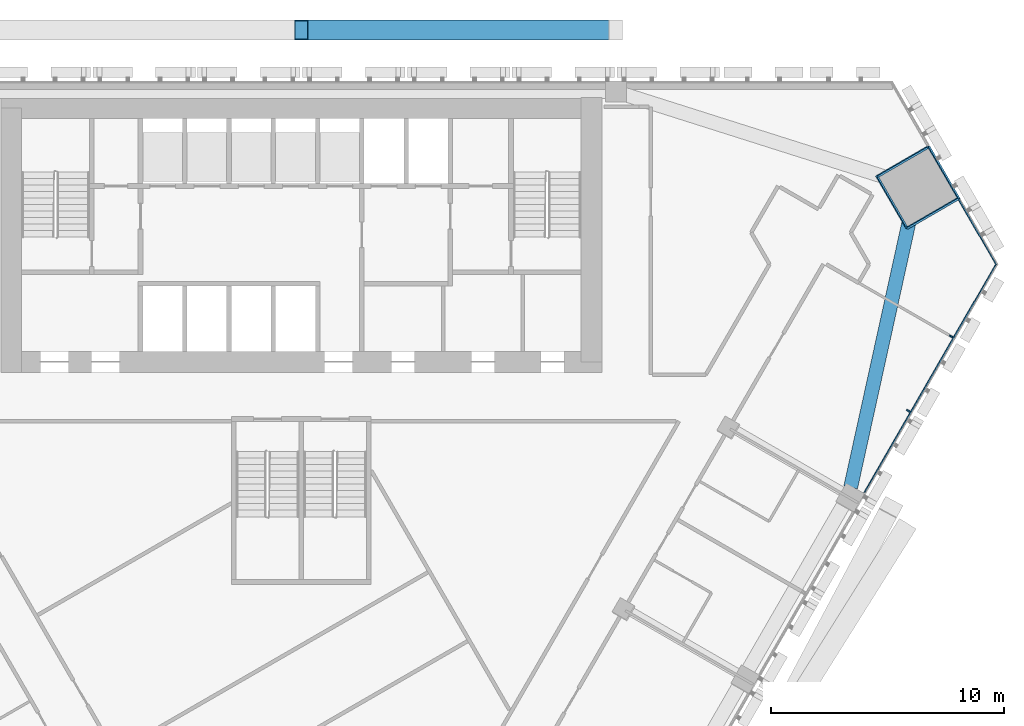
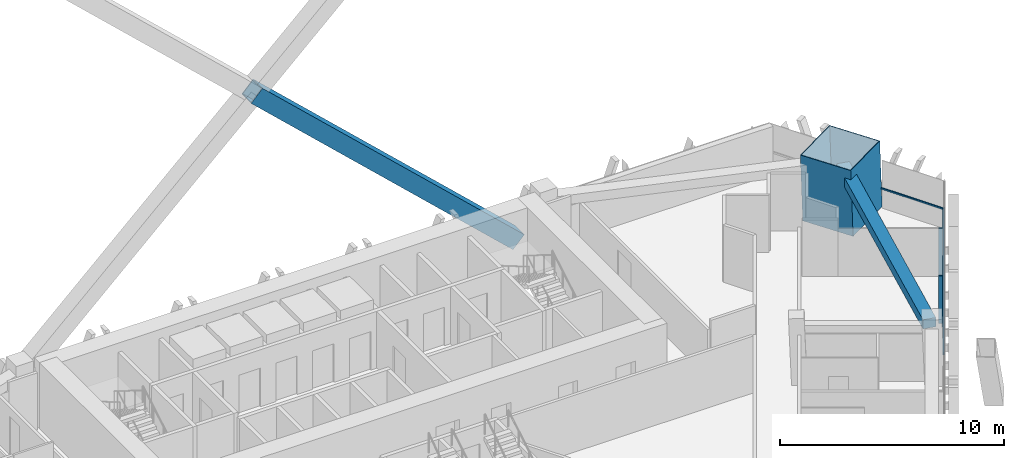
# One storey, part 10 of 19: 6 members, 1 beam, 2 elements without a shape of their own.
"""IFC4 building model written with IfcOpenShell, lengths in metres."""

from ifc_helpers import new_model, si_unit, direction, frame, origin, origin_2d, place, context, subcontext, project, spatial, rectangle, hollow_rectangle, extrude, material, layer, layer_set, material_profile, profile_set, type_object, element, aggregate, save


model = new_model("IFC4")

# Units and contexts
model_context = context("Model", 3, precision=1e-05, world=origin(), true_north=direction((0.0, 1.0)))
body_context = subcontext(model_context, "Body", "Model", "MODEL_VIEW")
ifc_project = project(units=[si_unit("LENGTHUNIT", "METRE"), si_unit("AREAUNIT", "SQUARE_METRE"), si_unit("VOLUMEUNIT", "CUBIC_METRE"), si_unit("PLANEANGLEUNIT", "RADIAN"), si_unit("MASSUNIT", "GRAM", prefix="KILO")], contexts=[model_context])

# Site, building, storey
site_placement = place(None, origin())
site = spatial("IfcSite", under=ifc_project, at=site_placement, CompositionType="ELEMENT")
building_placement = place(site_placement, origin())
building = spatial("IfcBuilding", under=site, at=building_placement, Name="Altiplano Prism Tower", CompositionType="ELEMENT")
storey_placement = place(building_placement, frame((0.0, 0.0, 70.199951171875)))
storey = spatial("IfcBuildingStorey", under=building, at=storey_placement, Name="L17", CompositionType="ELEMENT", Elevation=70.199951171875)

# Curtain wall, members
ifc_material_1 = material(Name="Aluminium and glass", Category="aluminium")
ifc_layer = layer(ifc_material_1, 0.280029296875)
ifc_layer_set = layer_set([ifc_layer], Name="Aluminium and glass")
curtain_wall_type = type_object("IfcCurtainWallType", Name="CW1 typical co-living unitised curtain wall", PredefinedType="NOTDEFINED", material=ifc_layer_set)
curtain_wall_1_placement = place(storey_placement, origin())
curtain_wall_1 = element("IfcCurtainWall", 1, at=curtain_wall_1_placement, inside=storey, type_object=curtain_wall_type, Name="CW1 curtain wall south-east face L17", PredefinedType="NOTDEFINED")
ifc_material_2 = material(Name="Aluminium", Category="aluminium")
ifc_material_profile_1 = material_profile(ifc_material_2, rectangle(XDim=0.179931640625, YDim=0.06494140625, at=origin_2d()), Name="CW1 mullion 65 x 180")
ifc_profile_set_1 = profile_set([ifc_material_profile_1], Name="Aluminium")
member_type_1 = type_object("IfcMemberType", Name="CW1 mullion 65 x 180", PredefinedType="MULLION", material=ifc_profile_set_1)
member_1_placement = place(storey_placement, frame((111.06201171875, 90.845947265625, 0.0), z_axis=(0.0, 0.0, 1.0), x_axis=(-0.86602540313, 0.500000001134, 0.0)))
member_1 = element("IfcMember", 2, at=member_1_placement, type_object=member_type_1, Name="CW1 mullion", PredefinedType="MULLION", context=body_context, shape_type="SweptSolid", body=[
    extrude(rectangle(XDim=0.179931640625, YDim=0.06494140625, at=origin_2d()), origin(), (0.0, 0.0, 1.0), 2.60009765625),
])
member_2_placement = place(storey_placement, frame((112.90625, 94.040283203125, 0.0), z_axis=(0.0, 0.0, 1.0), x_axis=(-0.86602540313, 0.500000001134, 0.0)))
member_2 = element("IfcMember", 3, at=member_2_placement, type_object=member_type_1, Name="CW1 mullion", PredefinedType="MULLION", context=body_context, shape_type="SweptSolid", body=[
    extrude(rectangle(XDim=0.179931640625, YDim=0.06494140625, at=origin_2d()), origin(), (0.0, 0.0, 1.0), 2.60009765625),
])
ifc_material_profile_2 = material_profile(ifc_material_2, rectangle(XDim=0.06005859375, YDim=0.080078125, at=origin_2d()), Name="CW1 transom 80 x 60")
ifc_profile_set_2 = profile_set([ifc_material_profile_2], Name="Aluminium")
member_type_2 = type_object("IfcMemberType", Name="CW1 transom 80 x 60", PredefinedType="USERDEFINED", material=ifc_profile_set_2)
member_3_placement = place(storey_placement, frame((109.1806640625, 87.347412109375, 1.10009765625), z_axis=(0.500008019114, 0.866020773897, 0.0), x_axis=(-0.866020773897, 0.500008019114, 0.0)))
member_3 = element("IfcMember", 4, at=member_3_placement, type_object=member_type_2, Name="CW1 transom", ObjectType="TRANSOM", PredefinedType="USERDEFINED", context=body_context, shape_type="SweptSolid", body=[
    extrude(rectangle(XDim=0.06005859375, YDim=0.080078125, at=origin_2d()), origin(), (0.0, 0.0, 1.0), 11.347412109375),
])
aggregate(curtain_wall_1, [member_1, member_2, member_3])

# Curtain wall, member
curtain_wall_2_placement = place(storey_placement, origin())
curtain_wall_2 = element("IfcCurtainWall", 5, at=curtain_wall_2_placement, inside=storey, type_object=curtain_wall_type, Name="CW1 curtain wall north-east chamfer L17", PredefinedType="NOTDEFINED")
member_4_placement = place(storey_placement, frame((114.8544921875, 97.104736328125, 1.10009765625), z_axis=(-0.500031372725, 0.866007289976, 0.0), x_axis=(-0.866007289976, -0.500031372725, 0.0)))
member_4 = element("IfcMember", 6, at=member_4_placement, type_object=member_type_2, Name="CW1 transom", ObjectType="TRANSOM", PredefinedType="USERDEFINED", context=body_context, shape_type="SweptSolid", body=[
    extrude(rectangle(XDim=0.06005859375, YDim=0.080078125, at=origin_2d()), origin(), (0.0, 0.0, 1.0), 3.238037109375),
])
aggregate(curtain_wall_2, [member_4])

# Beam
ifc_material_3 = material(Name="Concrete C60/75", Category="concrete")
ifc_material_profile_3 = material_profile(ifc_material_3, rectangle(XDim=0.60009765625, YDim=0.5, at=origin_2d()), Name="Edge beam 600x500")
ifc_profile_set_3 = profile_set([ifc_material_profile_3], Name="Concrete C60/75")
beam_type = type_object("IfcBeamType", Name="Edge beam 600x500", PredefinedType="SPANDREL", material=ifc_profile_set_3)
beam_placement = place(storey_placement, frame((108.58251953125, 87.561279296875, 2.85009765625), z_axis=(0.214805163084, 0.976656921295, 0.0), x_axis=(-0.976656921295, 0.214805163084, 0.0)))
element("IfcBeam", 7, at=beam_placement, inside=storey, type_object=beam_type, Name="Edge beam P24-M2 L18", PredefinedType="SPANDREL", context=body_context, shape_type="SweptSolid", body=[
    extrude(rectangle(XDim=0.60009765625, YDim=0.5, at=origin_2d()), origin(), (0.0, 0.0, 1.0), 12.75),
])

# Members
ifc_material_4 = material(Name="Steel S355", Category="steel")
ifc_material_profile_4 = material_profile(ifc_material_4, hollow_rectangle(XDim=0.85009765625, YDim=0.85009765625, WallThickness=0.0400390625, at=origin_2d()), Name="Mega brace Box 850x850x40")
ifc_profile_set_4 = profile_set([ifc_material_profile_4], Name="Steel S355")
member_type_3 = type_object("IfcMemberType", Name="Mega brace Box 850x850x40", PredefinedType="BRACE", material=ifc_profile_set_4)
member_5_placement = place(storey_placement, frame((98.5, 107.199951171875, -0.849853515625), z_axis=(-0.728359680569, 0.0, 0.685194991022), x_axis=(0.0, -1.0, 0.0)))
element("IfcMember", 8, at=member_5_placement, inside=storey, type_object=member_type_3, Name="Mega brace 2.0.1", PredefinedType="BRACE", context=body_context, shape_type="SweptSolid", body=[
    extrude(hollow_rectangle(XDim=0.85009765625, YDim=0.85009765625, WallThickness=0.0400390625, at=origin_2d()), origin(), (0.0, 0.0, 1.0), 18.534912109375),
])
ifc_material_5 = material(Name="Steel S460", Category="steel")
ifc_material_profile_5 = material_profile(ifc_material_5, hollow_rectangle(XDim=2.60009765625, YDim=2.60009765625, WallThickness=0.0400390625, at=origin_2d()), Name="Mega column tube 2600")
ifc_profile_set_5 = profile_set([ifc_material_profile_5], Name="Steel S460")
member_type_4 = type_object("IfcMemberType", Name="Mega column tube 2600", PredefinedType="POST", material=ifc_profile_set_5)
member_6_placement = place(storey_placement, frame((111.520263671875, 100.419921875, 0.0), z_axis=(-0.028401814599, 0.009218727412, 0.999554076572), x_axis=(0.500759961853, -0.865301221788, 0.022209371367)))
element("IfcMember", 9, at=member_6_placement, inside=storey, type_object=member_type_4, Name="Mega column tube M2 L17", PredefinedType="POST", context=body_context, shape_type="SweptSolid", body=[
    extrude(hollow_rectangle(XDim=2.60009765625, YDim=2.60009765625, WallThickness=0.0400390625, at=origin_2d()), origin(), (0.0, 0.0, 1.0), 3.601806640625),
])

save(model, "model.ifc")
